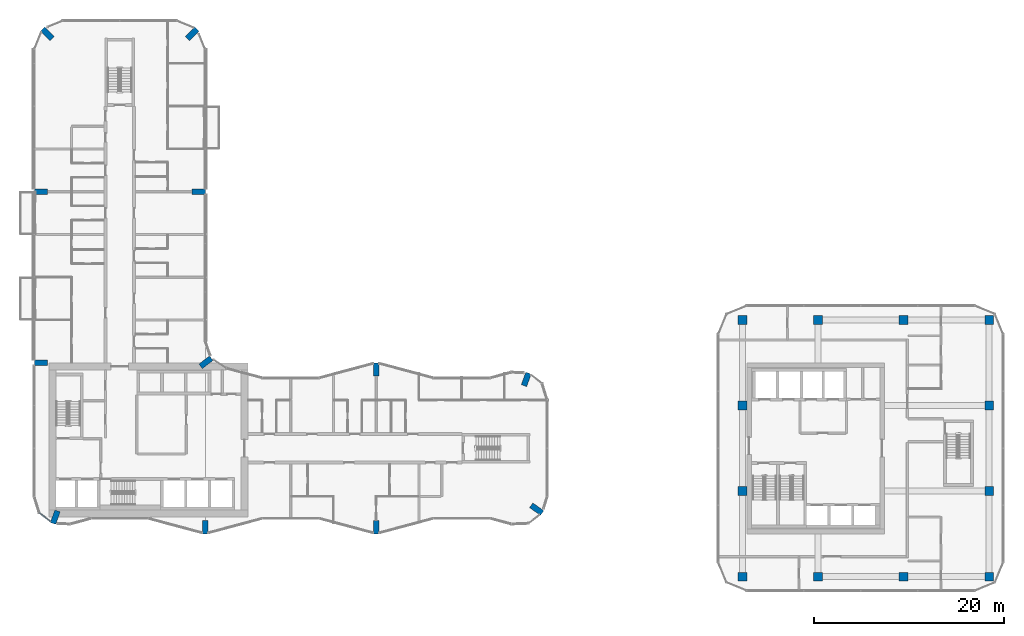
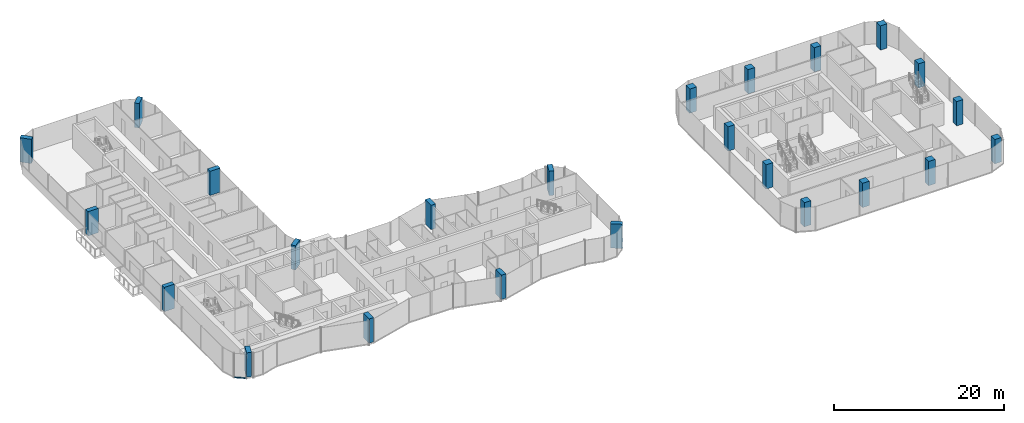
# One storey, part 1 of 24: 24 columns, 1 member, 1 element without a shape of its own.
"""IFC4 building model written with IfcOpenShell, lengths in metres."""

from ifc_helpers import new_model, si_unit, direction, frame, origin, origin_2d, place, context, subcontext, project, spatial, rectangle, extrude, material, layer, layer_set, material_profile, profile_set, type_object, element, aggregate, save


model = new_model("IFC4")

# Units and contexts
model_context = context("Model", 3, precision=1e-05, world=origin(), true_north=direction((0.0, 1.0)))
body_context = subcontext(model_context, "Body", "Model", "MODEL_VIEW")
ifc_project = project(units=[si_unit("LENGTHUNIT", "METRE"), si_unit("AREAUNIT", "SQUARE_METRE"), si_unit("VOLUMEUNIT", "CUBIC_METRE"), si_unit("PLANEANGLEUNIT", "RADIAN"), si_unit("MASSUNIT", "GRAM", prefix="KILO")], contexts=[model_context])

# Site, building, storey
site_placement = place(None, origin())
site = spatial("IfcSite", under=ifc_project, at=site_placement, CompositionType="ELEMENT")
building_placement = place(site_placement, origin())
building = spatial("IfcBuilding", under=site, at=building_placement, Name="Plateau Cross Towers", CompositionType="ELEMENT")
storey_placement = place(building_placement, frame((0.0, 0.0, 47.800048828125)))
storey = spatial("IfcBuildingStorey", under=building, at=storey_placement, Name="L11", CompositionType="ELEMENT", Elevation=47.800048828125)

# Columns
ifc_material_1 = material(Name="Concrete C60/75", Category="concrete")
ifc_material_profile_1 = material_profile(ifc_material_1, rectangle(XDim=0.60009765625, YDim=1.39990234375, at=origin_2d()), Name="RC 600x1400")
ifc_profile_set_1 = profile_set([ifc_material_profile_1], Name="Concrete C60/75")
column_type_1 = type_object("IfcColumnType", Name="Fin pier column RC 600x1400", PredefinedType="COLUMN", material=ifc_profile_set_1)
for number, where, z_axis, x_axis, name in (
    (1, (18.0, 0.699951171875, 0.0), (0.0, 0.0, 1.0), (1.0, 0.0, 0.0), "PR1 L11"),
    (2, (36.0, 0.699951171875, 0.0), (0.0, 0.0, 1.0), (1.0, 0.0, 0.0), "PR2 L11"),
    (3, (52.884033203125, 2.590087890625, 0.0), (0.0, 0.0, 1.0), (0.573542637991, 0.819175709117, 0.0), "PR3 L11"),
    (4, (51.786865234375, 16.251953125, 0.0), (0.0, 0.0, 1.0), (-0.939664280925, 0.342097996418, 0.0), "PR4 L11"),
    (5, (36.0, 17.300048828125, 0.0), (0.0, 0.0, 1.0), (1.0, 0.0, 0.0), "PR5 L11"),
    (6, (18.064697265625, 18.049560546875, 0.0), (0.0, 0.0, 1.0), (-0.608810846443, 0.793315418515, 0.0), "PR6 L11"),
    (7, (17.300048828125, 36.0, 0.0), (0.0, 0.0, 1.0), (0.0, 1.0, 0.0), "PR7 L11"),
    (8, (16.62646484375, 52.62646484375, 0.0), (0.0, 0.0, 1.0), (-0.707106781187, 0.707106781187, 0.0), "PR8 L11"),
    (9, (1.37353515625, 52.62646484375, 0.0), (0.0, 0.0, 1.0), (0.707106781187, 0.707106781187, 0.0), "PR9 L11"),
    (10, (0.699951171875, 36.0, 0.0), (0.0, 0.0, 1.0), (0.0, 1.0, 0.0), "PR10 L11"),
    (11, (0.699951171875, 18.0, 0.0), (0.0, 0.0, 1.0), (0.0, 1.0, 0.0), "PR11 L11"),
    (12, (2.213134765625, 1.748046875, 0.0), (0.0, 0.0, 1.0), (-0.939664280925, 0.342097996418, 0.0), "PR12 L11"),
):
    element("IfcColumn", number, at=place(storey_placement, frame(where, z_axis=z_axis, x_axis=x_axis)), inside=storey, type_object=column_type_1, Name=name, PredefinedType="COLUMN", context=body_context, shape_type="SweptSolid", body=[
        extrude(rectangle(XDim=0.60009765625, YDim=1.39990234375, at=origin_2d()), origin(), (0.0, 0.0, 1.0), 3.5),
    ])
ifc_material_profile_2 = material_profile(ifc_material_1, rectangle(XDim=0.89990234375, YDim=0.89990234375, at=origin_2d()), Name="RC 900x900")
ifc_profile_set_2 = profile_set([ifc_material_profile_2], Name="Concrete C60/75")
column_type_2 = type_object("IfcColumnType", Name="Office column RC 900x900", PredefinedType="COLUMN", material=ifc_profile_set_2)
for number, where, z_axis, x_axis, name in (
    (13, (74.550048828125, -4.5, 0.0), (0.0, 0.0, 1.0), (1.0, 0.0, 0.0), "B-C746_-45 L11"),
    (14, (82.5, -4.5, 0.0), (0.0, 0.0, 1.0), (1.0, 0.0, 0.0), "B-C825_-45 L11"),
    (15, (91.5, -4.5, 0.0), (0.0, 0.0, 1.0), (1.0, 0.0, 0.0), "B-C915_-45 L11"),
    (16, (100.5, -4.5, 0.0), (0.0, 0.0, 1.0), (1.0, 0.0, 0.0), "B-C1005_-45 L11"),
    (17, (100.5, 4.5, 0.0), (0.0, 0.0, 1.0), (1.0, 0.0, 0.0), "B-C1005_45 L11"),
    (18, (100.5, 13.5, 0.0), (0.0, 0.0, 1.0), (1.0, 0.0, 0.0), "B-C1005_135 L11"),
    (19, (100.5, 22.5, 0.0), (0.0, 0.0, 1.0), (1.0, 0.0, 0.0), "B-C1005_225 L11"),
    (20, (91.5, 22.5, 0.0), (0.0, 0.0, 1.0), (1.0, 0.0, 0.0), "B-C915_225 L11"),
    (21, (82.5, 22.5, 0.0), (0.0, 0.0, 1.0), (1.0, 0.0, 0.0), "B-C825_225 L11"),
    (22, (74.550048828125, 22.5, 0.0), (0.0, 0.0, 1.0), (1.0, 0.0, 0.0), "B-C746_225 L11"),
    (23, (74.550048828125, 13.5, 0.0), (0.0, 0.0, 1.0), (1.0, 0.0, 0.0), "B-C746_135 L11"),
    (24, (74.550048828125, 4.5, 0.0), (0.0, 0.0, 1.0), (1.0, 0.0, 0.0), "B-C746_45 L11"),
):
    element("IfcColumn", number, at=place(storey_placement, frame(where, z_axis=z_axis, x_axis=x_axis)), inside=storey, type_object=column_type_2, Name=name, PredefinedType="COLUMN", context=body_context, shape_type="SweptSolid", body=[
        extrude(rectangle(XDim=0.89990234375, YDim=0.89990234375, at=origin_2d()), origin(), (0.0, 0.0, 1.0), 3.5),
    ])

# Curtain wall, member
ifc_material_2 = material(Name="Dark low-iron glass", Category="glass")
ifc_layer = layer(ifc_material_2, 0.239990234375)
ifc_layer_set = layer_set([ifc_layer], Name="Dark low-iron glass")
curtain_wall_type = type_object("IfcCurtainWallType", Name="Curtain wall flush unitised CW-B", PredefinedType="NOTDEFINED", material=ifc_layer_set)
curtain_wall_placement = place(storey_placement, origin())
curtain_wall = element("IfcCurtainWall", 25, at=curtain_wall_placement, inside=storey, type_object=curtain_wall_type, Name="ENV/A/L11/A5_22", PredefinedType="NOTDEFINED")
ifc_material_3 = material(Name="Black anodised aluminium", Category="aluminium")
ifc_material_profile_3 = material_profile(ifc_material_3, rectangle(XDim=0.10009765625, YDim=0.1201171875, at=origin_2d()), Name="TRANSOM 100x120")
ifc_profile_set_3 = profile_set([ifc_material_profile_3], Name="Black anodised aluminium")
member_type = type_object("IfcMemberType", Name="Transom 100x120 flush unitised", PredefinedType="USERDEFINED", material=ifc_profile_set_3)
member_placement = place(storey_placement, frame((0.54248046875, 2.1884765625, -0.18994140625), z_axis=(0.793320508571, -0.608804213751, 0.0), x_axis=(0.608804213751, 0.793320508571, 0.0)))
member = element("IfcMember", 26, at=member_placement, type_object=member_type, Name="CW-B transom", ObjectType="TRANSOM", PredefinedType="USERDEFINED", context=body_context, shape_type="SweptSolid", body=[
    extrude(rectangle(XDim=0.10009765625, YDim=0.1201171875, at=origin_2d()), origin(), (0.0, 0.0, 1.0), 1.471435546875),
])
aggregate(curtain_wall, [member])

save(model, "model.ifc")
